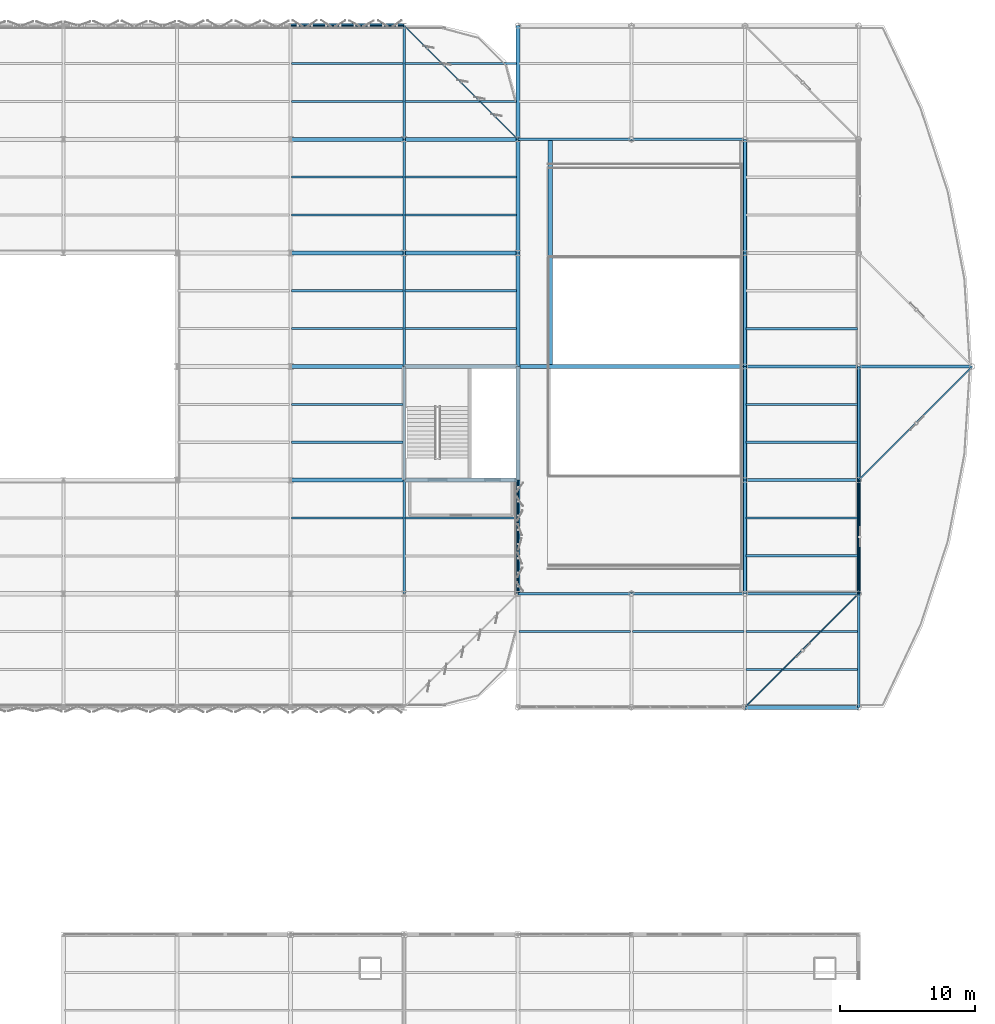
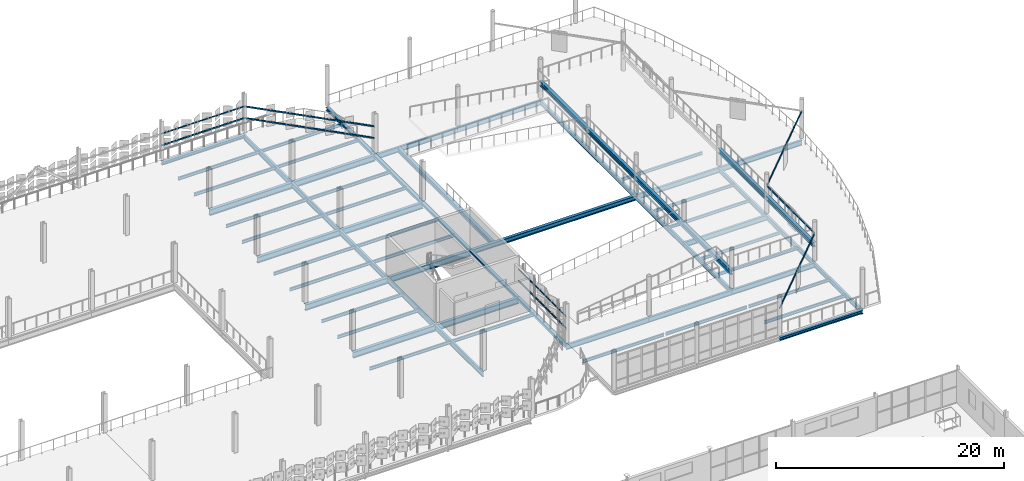
# One storey, part 110 of 163: 77 beams.
"""IFC4 building model written with IfcOpenShell, lengths in metres."""

from ifc_helpers import new_model, si_unit, direction, frame, origin, origin_2d, place, context, subcontext, project, spatial, hollow_rectangle, i_section, extrude, material, material_profile, profile_set, type_object, element, save


model = new_model("IFC4")

# Units and contexts
model_context = context("Model", 3, precision=1e-05, world=origin(), true_north=direction((0.0, 1.0)))
body_context = subcontext(model_context, "Body", "Model", "MODEL_VIEW")
ifc_project = project(units=[si_unit("LENGTHUNIT", "METRE"), si_unit("AREAUNIT", "SQUARE_METRE"), si_unit("VOLUMEUNIT", "CUBIC_METRE"), si_unit("PLANEANGLEUNIT", "RADIAN"), si_unit("MASSUNIT", "GRAM", prefix="KILO")], contexts=[model_context])

# Site, building, storey
site_placement = place(None, origin())
site = spatial("IfcSite", under=ifc_project, at=site_placement, CompositionType="ELEMENT")
building_placement = place(site_placement, origin())
building = spatial("IfcBuilding", under=site, at=building_placement, Name="Qalvenar Corner Mobility Hub", CompositionType="ELEMENT")
storey_placement = place(building_placement, frame((0.0, 0.0, 4.800048828125)))
storey = spatial("IfcBuildingStorey", under=building, at=storey_placement, Name="L01", CompositionType="ELEMENT", Elevation=4.800048828125)

# Beams
ifc_material = material(Name="Steel S355", Category="steel")
ifc_material_profile_1 = material_profile(ifc_material, i_section(OverallWidth=0.300048828125, OverallDepth=0.489990234375, WebThickness=0.011962890625, FlangeThickness=0.02294921875, FilletRadius=0.027099609375, at=origin_2d()), Name="HEA500")
ifc_profile_set_1 = profile_set([ifc_material_profile_1], Name="Steel S355")
beam_type_1 = type_object("IfcBeamType", Name="BM-HEA500", PredefinedType="BEAM", material=ifc_profile_set_1)
for number, where, z_axis, x_axis, name in (
    (1, (142.800048828125, 92.39990234375, -0.512939453125), (1.0, 0.0, 0.0), (0.0, 1.0, 0.0), "Ramp Well Central Tie Girder L01"),
    (2, (145.199951171875, 92.39990234375, -0.512939453125), (0.0, 1.0, 0.0), (-1.0, 0.0, 0.0), "Ramp West Header Girder L01-HI"),
):
    element("IfcBeam", number, at=place(storey_placement, frame(where, z_axis=z_axis, x_axis=x_axis)), inside=storey, type_object=beam_type_1, Name=name, PredefinedType="BEAM", context=body_context, shape_type="SweptSolid", body=[
        extrude(i_section(OverallWidth=0.300048828125, OverallDepth=0.489990234375, WebThickness=0.011962890625, FlangeThickness=0.02294921875, FilletRadius=0.027099609375, at=origin_2d()), origin(), (0.0, 0.0, 1.0), 16.800048828125),
    ])
for number, where, z_axis, x_axis, name in (
    (3, (159.60009765625, 75.60009765625, 1.596923828125), (0.0, 1.0, 0.0), (-1.0, 0.0, 0.0), "Ramp Mid-Landing Girder L01-159-75"),
    (4, (159.60009765625, 84.0, 1.596923828125), (0.0, 1.0, 0.0), (-1.0, 0.0, 0.0), "Ramp Mid-Landing Girder L01-159-84"),
):
    element("IfcBeam", number, at=place(storey_placement, frame(where, z_axis=z_axis, x_axis=x_axis)), inside=storey, type_object=beam_type_1, Name=name, PredefinedType="BEAM", context=body_context, shape_type="SweptSolid", body=[
        extrude(i_section(OverallWidth=0.300048828125, OverallDepth=0.489990234375, WebThickness=0.011962890625, FlangeThickness=0.02294921875, FilletRadius=0.027099609375, at=origin_2d()), origin(), (0.0, 0.0, 1.0), 8.39990234375),
    ])
beam_1_placement = place(storey_placement, frame((159.60009765625, 92.39990234375, 1.596923828125), z_axis=(0.0, 1.0, 0.0), x_axis=(-1.0, 0.0, 0.0)))
element("IfcBeam", 5, at=beam_1_placement, inside=storey, type_object=beam_type_1, Name="Ramp Mid-Landing Girder L01-159-92", PredefinedType="BEAM", context=body_context, shape_type="SweptSolid", body=[
    extrude(i_section(OverallWidth=0.300048828125, OverallDepth=0.489990234375, WebThickness=0.011962890625, FlangeThickness=0.02294921875, FilletRadius=0.027099609375, at=origin_2d()), origin(), (0.0, 0.0, 1.0), 8.400146484375),
])
for number, where, z_axis, x_axis, name in (
    (6, (159.60009765625, 100.800048828125, 1.596923828125), (0.0, 1.0, 0.0), (-1.0, 0.0, 0.0), "Ramp Mid-Landing Girder L01-159-100"),
    (7, (168.0, 75.60009765625, 1.635009765625), (0.0, 1.0, 0.0), (-1.0, 0.0, 0.0), "Ramp Mid-Landing Girder L01-168-75"),
    (8, (168.0, 84.0, 1.635009765625), (0.0, 1.0, 0.0), (-1.0, 0.0, 0.0), "Ramp Mid-Landing Girder L01-168-84"),
):
    element("IfcBeam", number, at=place(storey_placement, frame(where, z_axis=z_axis, x_axis=x_axis)), inside=storey, type_object=beam_type_1, Name=name, PredefinedType="BEAM", context=body_context, shape_type="SweptSolid", body=[
        extrude(i_section(OverallWidth=0.300048828125, OverallDepth=0.489990234375, WebThickness=0.011962890625, FlangeThickness=0.02294921875, FilletRadius=0.027099609375, at=origin_2d()), origin(), (0.0, 0.0, 1.0), 8.39990234375),
    ])
ifc_material_profile_2 = material_profile(ifc_material, i_section(OverallWidth=0.300048828125, OverallDepth=0.639892578125, WebThickness=0.013427734375, FlangeThickness=0.02587890625, FilletRadius=0.027099609375, at=origin_2d()), Name="HEA650")
ifc_profile_set_2 = profile_set([ifc_material_profile_2], Name="Steel S355")
beam_type_2 = type_object("IfcBeamType", Name="BM-HEA650", PredefinedType="BEAM", material=ifc_profile_set_2)
beam_2_placement = place(storey_placement, frame((126.0, 84.0, -0.56005859375), z_axis=(1.0, 0.0, 0.0), x_axis=(0.0, 1.0, 0.0)))
element("IfcBeam", 9, at=beam_2_placement, inside=storey, type_object=beam_type_2, Name="Primary Steel Girder GX-1282", PredefinedType="BEAM", context=body_context, shape_type="SweptSolid", body=[
    extrude(i_section(OverallWidth=0.300048828125, OverallDepth=0.639892578125, WebThickness=0.013427734375, FlangeThickness=0.02587890625, FilletRadius=0.027099609375, at=origin_2d()), origin(), (0.0, 0.0, 1.0), 8.39990234375),
])
beam_3_placement = place(storey_placement, frame((134.39990234375, 84.0, -0.56005859375), z_axis=(1.0, 0.0, 0.0), x_axis=(0.0, 1.0, 0.0)))
element("IfcBeam", 10, at=beam_3_placement, inside=storey, type_object=beam_type_2, Name="Primary Steel Girder GX-1283", PredefinedType="BEAM", context=body_context, shape_type="SweptSolid", body=[
    extrude(i_section(OverallWidth=0.300048828125, OverallDepth=0.639892578125, WebThickness=0.013427734375, FlangeThickness=0.02587890625, FilletRadius=0.027099609375, at=origin_2d()), origin(), (0.0, 0.0, 1.0), 8.400146484375),
])
beam_4_placement = place(storey_placement, frame((126.0, 92.39990234375, -0.56005859375), z_axis=(1.0, 0.0, 0.0), x_axis=(0.0, 1.0, 0.0)))
element("IfcBeam", 11, at=beam_4_placement, inside=storey, type_object=beam_type_2, Name="Primary Steel Girder GX-1288", PredefinedType="BEAM", context=body_context, shape_type="SweptSolid", body=[
    extrude(i_section(OverallWidth=0.300048828125, OverallDepth=0.639892578125, WebThickness=0.013427734375, FlangeThickness=0.02587890625, FilletRadius=0.027099609375, at=origin_2d()), origin(), (0.0, 0.0, 1.0), 8.39990234375),
])
beam_5_placement = place(storey_placement, frame((134.39990234375, 92.39990234375, -0.56005859375), z_axis=(1.0, 0.0, 0.0), x_axis=(0.0, 1.0, 0.0)))
element("IfcBeam", 12, at=beam_5_placement, inside=storey, type_object=beam_type_2, Name="Primary Steel Girder GX-1289", PredefinedType="BEAM", context=body_context, shape_type="SweptSolid", body=[
    extrude(i_section(OverallWidth=0.300048828125, OverallDepth=0.639892578125, WebThickness=0.013427734375, FlangeThickness=0.02587890625, FilletRadius=0.027099609375, at=origin_2d()), origin(), (0.0, 0.0, 1.0), 8.400146484375),
])
beam_6_placement = place(storey_placement, frame((126.0, 100.800048828125, -0.56005859375), z_axis=(1.0, 0.0, 0.0), x_axis=(0.0, 1.0, 0.0)))
element("IfcBeam", 13, at=beam_6_placement, inside=storey, type_object=beam_type_2, Name="Primary Steel Girder GX-1298", PredefinedType="BEAM", context=body_context, shape_type="SweptSolid", body=[
    extrude(i_section(OverallWidth=0.300048828125, OverallDepth=0.639892578125, WebThickness=0.013427734375, FlangeThickness=0.02587890625, FilletRadius=0.027099609375, at=origin_2d()), origin(), (0.0, 0.0, 1.0), 8.39990234375),
])
beam_7_placement = place(storey_placement, frame((134.39990234375, 100.800048828125, -0.56005859375), z_axis=(1.0, 0.0, 0.0), x_axis=(0.0, 1.0, 0.0)))
element("IfcBeam", 14, at=beam_7_placement, inside=storey, type_object=beam_type_2, Name="Primary Steel Girder GX-1299", PredefinedType="BEAM", context=body_context, shape_type="SweptSolid", body=[
    extrude(i_section(OverallWidth=0.300048828125, OverallDepth=0.639892578125, WebThickness=0.013427734375, FlangeThickness=0.02587890625, FilletRadius=0.027099609375, at=origin_2d()), origin(), (0.0, 0.0, 1.0), 8.400146484375),
])
beam_8_placement = place(storey_placement, frame((126.0, 109.199951171875, -0.56005859375), z_axis=(1.0, 0.0, 0.0), x_axis=(0.0, 1.0, 0.0)))
element("IfcBeam", 15, at=beam_8_placement, inside=storey, type_object=beam_type_2, Name="Primary Steel Girder GX-1308", PredefinedType="BEAM", context=body_context, shape_type="SweptSolid", body=[
    extrude(i_section(OverallWidth=0.300048828125, OverallDepth=0.639892578125, WebThickness=0.013427734375, FlangeThickness=0.02587890625, FilletRadius=0.027099609375, at=origin_2d()), origin(), (0.0, 0.0, 1.0), 8.39990234375),
])
beam_9_placement = place(storey_placement, frame((134.39990234375, 109.199951171875, -0.56005859375), z_axis=(1.0, 0.0, 0.0), x_axis=(0.0, 1.0, 0.0)))
element("IfcBeam", 16, at=beam_9_placement, inside=storey, type_object=beam_type_2, Name="Primary Steel Girder GX-1309", PredefinedType="BEAM", context=body_context, shape_type="SweptSolid", body=[
    extrude(i_section(OverallWidth=0.300048828125, OverallDepth=0.639892578125, WebThickness=0.013427734375, FlangeThickness=0.02587890625, FilletRadius=0.027099609375, at=origin_2d()), origin(), (0.0, 0.0, 1.0), 8.400146484375),
])
ifc_material_profile_3 = material_profile(ifc_material, i_section(OverallWidth=0.199951171875, OverallDepth=0.5, WebThickness=0.01025390625, FlangeThickness=0.01611328125, FilletRadius=0.02099609375, at=origin_2d()), Name="IPE500")
ifc_profile_set_3 = profile_set([ifc_material_profile_3], Name="Steel S355")
beam_type_3 = type_object("IfcBeamType", Name="BM-IPE500", PredefinedType="BEAM", material=ifc_profile_set_3)
for number, where, z_axis, x_axis, name in (
    (17, (159.60009765625, 75.60009765625, -0.489990234375), (0.0, 1.0, 0.0), (-1.0, 0.0, 0.0), "Primary Steel Girder GY-1487"),
    (18, (159.60009765625, 84.0, -0.489990234375), (0.0, 1.0, 0.0), (-1.0, 0.0, 0.0), "Primary Steel Girder GY-1488"),
):
    element("IfcBeam", number, at=place(storey_placement, frame(where, z_axis=z_axis, x_axis=x_axis)), inside=storey, type_object=beam_type_3, Name=name, PredefinedType="BEAM", context=body_context, shape_type="SweptSolid", body=[
        extrude(i_section(OverallWidth=0.199951171875, OverallDepth=0.5, WebThickness=0.01025390625, FlangeThickness=0.01611328125, FilletRadius=0.02099609375, at=origin_2d()), origin(), (0.0, 0.0, 1.0), 8.39990234375),
    ])
beam_10_placement = place(storey_placement, frame((159.60009765625, 92.39990234375, -0.489990234375), z_axis=(0.0, 1.0, 0.0), x_axis=(-1.0, 0.0, 0.0)))
element("IfcBeam", 19, at=beam_10_placement, inside=storey, type_object=beam_type_3, Name="Primary Steel Girder GY-1489", PredefinedType="BEAM", context=body_context, shape_type="SweptSolid", body=[
    extrude(i_section(OverallWidth=0.199951171875, OverallDepth=0.5, WebThickness=0.01025390625, FlangeThickness=0.01611328125, FilletRadius=0.02099609375, at=origin_2d()), origin(), (0.0, 0.0, 1.0), 8.400146484375),
])
beam_11_placement = place(storey_placement, frame((159.60009765625, 100.800048828125, -0.489990234375), z_axis=(0.0, 1.0, 0.0), x_axis=(-1.0, 0.0, 0.0)))
element("IfcBeam", 20, at=beam_11_placement, inside=storey, type_object=beam_type_3, Name="Primary Steel Girder GY-1490", PredefinedType="BEAM", context=body_context, shape_type="SweptSolid", body=[
    extrude(i_section(OverallWidth=0.199951171875, OverallDepth=0.5, WebThickness=0.01025390625, FlangeThickness=0.01611328125, FilletRadius=0.02099609375, at=origin_2d()), origin(), (0.0, 0.0, 1.0), 8.39990234375),
])
beam_12_placement = place(storey_placement, frame((168.0, 67.199951171875, -0.489990234375), z_axis=(0.0, 1.0, 0.0), x_axis=(-1.0, 0.0, 0.0)))
element("IfcBeam", 21, at=beam_12_placement, inside=storey, type_object=beam_type_3, Name="Primary Steel Girder GY-1492", PredefinedType="BEAM", context=body_context, shape_type="SweptSolid", body=[
    extrude(i_section(OverallWidth=0.199951171875, OverallDepth=0.5, WebThickness=0.01025390625, FlangeThickness=0.01611328125, FilletRadius=0.02099609375, at=origin_2d()), origin(), (0.0, 0.0, 1.0), 8.400146484375),
])
for number, where, z_axis, x_axis, name in (
    (22, (168.0, 75.60009765625, -0.489990234375), (0.0, 1.0, 0.0), (-1.0, 0.0, 0.0), "Primary Steel Girder GY-1493"),
    (23, (168.0, 84.0, -0.489990234375), (0.0, 1.0, 0.0), (-1.0, 0.0, 0.0), "Primary Steel Girder GY-1494"),
):
    element("IfcBeam", number, at=place(storey_placement, frame(where, z_axis=z_axis, x_axis=x_axis)), inside=storey, type_object=beam_type_3, Name=name, PredefinedType="BEAM", context=body_context, shape_type="SweptSolid", body=[
        extrude(i_section(OverallWidth=0.199951171875, OverallDepth=0.5, WebThickness=0.01025390625, FlangeThickness=0.01611328125, FilletRadius=0.02099609375, at=origin_2d()), origin(), (0.0, 0.0, 1.0), 8.39990234375),
    ])
ifc_material_profile_4 = material_profile(ifc_material, i_section(OverallWidth=0.2099609375, OverallDepth=0.550048828125, WebThickness=0.010986328125, FlangeThickness=0.01708984375, FilletRadius=0.02392578125, at=origin_2d()), Name="IPE550")
ifc_profile_set_4 = profile_set([ifc_material_profile_4], Name="Steel S355")
beam_type_4 = type_object("IfcBeamType", Name="BM-IPE550", PredefinedType="BEAM", material=ifc_profile_set_4)
for number, where, z_axis, x_axis, name in (
    (24, (134.39990234375, 75.60009765625, -0.51513671875), (0.0, 1.0, 0.0), (-1.0, 0.0, 0.0), "Primary Steel Girder GY-1365"),
    (25, (134.39990234375, 84.0, -0.51513671875), (0.0, 1.0, 0.0), (-1.0, 0.0, 0.0), "Primary Steel Girder GY-1366"),
):
    element("IfcBeam", number, at=place(storey_placement, frame(where, z_axis=z_axis, x_axis=x_axis)), inside=storey, type_object=beam_type_4, Name=name, PredefinedType="BEAM", context=body_context, shape_type="SweptSolid", body=[
        extrude(i_section(OverallWidth=0.2099609375, OverallDepth=0.550048828125, WebThickness=0.010986328125, FlangeThickness=0.01708984375, FilletRadius=0.02392578125, at=origin_2d()), origin(), (0.0, 0.0, 1.0), 8.39990234375),
    ])
beam_13_placement = place(storey_placement, frame((134.39990234375, 92.39990234375, -0.51513671875), z_axis=(0.0, 1.0, 0.0), x_axis=(-1.0, 0.0, 0.0)))
element("IfcBeam", 26, at=beam_13_placement, inside=storey, type_object=beam_type_4, Name="Primary Steel Girder GY-1367", PredefinedType="BEAM", context=body_context, shape_type="SweptSolid", body=[
    extrude(i_section(OverallWidth=0.2099609375, OverallDepth=0.550048828125, WebThickness=0.010986328125, FlangeThickness=0.01708984375, FilletRadius=0.02392578125, at=origin_2d()), origin(), (0.0, 0.0, 1.0), 8.400146484375),
])
beam_14_placement = place(storey_placement, frame((134.39990234375, 100.800048828125, -0.51513671875), z_axis=(0.0, 1.0, 0.0), x_axis=(-1.0, 0.0, 0.0)))
element("IfcBeam", 27, at=beam_14_placement, inside=storey, type_object=beam_type_4, Name="Primary Steel Girder GY-1368", PredefinedType="BEAM", context=body_context, shape_type="SweptSolid", body=[
    extrude(i_section(OverallWidth=0.2099609375, OverallDepth=0.550048828125, WebThickness=0.010986328125, FlangeThickness=0.01708984375, FilletRadius=0.02392578125, at=origin_2d()), origin(), (0.0, 0.0, 1.0), 8.39990234375),
])
beam_15_placement = place(storey_placement, frame((134.39990234375, 109.199951171875, -0.51513671875), z_axis=(0.0, 1.0, 0.0), x_axis=(-1.0, 0.0, 0.0)))
element("IfcBeam", 28, at=beam_15_placement, inside=storey, type_object=beam_type_4, Name="Primary Steel Girder GY-1369", PredefinedType="BEAM", context=body_context, shape_type="SweptSolid", body=[
    extrude(i_section(OverallWidth=0.2099609375, OverallDepth=0.550048828125, WebThickness=0.010986328125, FlangeThickness=0.01708984375, FilletRadius=0.02392578125, at=origin_2d()), origin(), (0.0, 0.0, 1.0), 8.400146484375),
])
beam_16_placement = place(storey_placement, frame((142.800048828125, 75.60009765625, -0.51513671875), z_axis=(1.0, 0.0, 0.0), x_axis=(0.0, 1.0, 0.0)))
element("IfcBeam", 29, at=beam_16_placement, inside=storey, type_object=beam_type_4, Name="Primary Steel Girder GX-1469", PredefinedType="BEAM", context=body_context, shape_type="SweptSolid", body=[
    extrude(i_section(OverallWidth=0.2099609375, OverallDepth=0.550048828125, WebThickness=0.010986328125, FlangeThickness=0.01708984375, FilletRadius=0.02392578125, at=origin_2d()), origin(), (0.0, 0.0, 1.0), 8.39990234375),
])
beam_17_placement = place(storey_placement, frame((151.199951171875, 75.60009765625, -0.51513671875), z_axis=(1.0, 0.0, 0.0), x_axis=(0.0, 1.0, 0.0)))
element("IfcBeam", 30, at=beam_17_placement, inside=storey, type_object=beam_type_4, Name="Primary Steel Girder GX-1470", PredefinedType="BEAM", context=body_context, shape_type="SweptSolid", body=[
    extrude(i_section(OverallWidth=0.2099609375, OverallDepth=0.550048828125, WebThickness=0.010986328125, FlangeThickness=0.01708984375, FilletRadius=0.02392578125, at=origin_2d()), origin(), (0.0, 0.0, 1.0), 8.400146484375),
])
for number, where, z_axis, x_axis, name in (
    (31, (159.60009765625, 75.60009765625, -0.51513671875), (1.0, 0.0, 0.0), (0.0, 1.0, 0.0), "Primary Steel Girder GX-1471"),
    (32, (159.60009765625, 84.0, -0.51513671875), (1.0, 0.0, 0.0), (0.0, 1.0, 0.0), "Primary Steel Girder GX-1472"),
    (33, (159.60009765625, 92.39990234375, -0.51513671875), (1.0, 0.0, 0.0), (0.0, 1.0, 0.0), "Primary Steel Girder GX-1473"),
    (34, (168.0, 92.39990234375, -0.51513671875), (1.0, 0.0, 0.0), (0.0, 1.0, 0.0), "Primary Steel Girder GX-1474"),
    (35, (142.800048828125, 109.199951171875, -0.51513671875), (1.0, 0.0, 0.0), (0.0, 1.0, 0.0), "Primary Steel Girder GX-1476"),
):
    element("IfcBeam", number, at=place(storey_placement, frame(where, z_axis=z_axis, x_axis=x_axis)), inside=storey, type_object=beam_type_4, Name=name, PredefinedType="BEAM", context=body_context, shape_type="SweptSolid", body=[
        extrude(i_section(OverallWidth=0.2099609375, OverallDepth=0.550048828125, WebThickness=0.010986328125, FlangeThickness=0.01708984375, FilletRadius=0.02392578125, at=origin_2d()), origin(), (0.0, 0.0, 1.0), 8.39990234375),
    ])
beam_18_placement = place(storey_placement, frame((151.199951171875, 109.199951171875, -0.51513671875), z_axis=(1.0, 0.0, 0.0), x_axis=(0.0, 1.0, 0.0)))
element("IfcBeam", 36, at=beam_18_placement, inside=storey, type_object=beam_type_4, Name="Primary Steel Girder GX-1477", PredefinedType="BEAM", context=body_context, shape_type="SweptSolid", body=[
    extrude(i_section(OverallWidth=0.2099609375, OverallDepth=0.550048828125, WebThickness=0.010986328125, FlangeThickness=0.01708984375, FilletRadius=0.02392578125, at=origin_2d()), origin(), (0.0, 0.0, 1.0), 8.400146484375),
])
ifc_material_profile_5 = material_profile(ifc_material, i_section(OverallWidth=0.1650390625, OverallDepth=0.31005859375, WebThickness=0.005859375, FlangeThickness=0.009765625, FilletRadius=0.011962890625, at=origin_2d()), Name="W310x38.7")
ifc_profile_set_5 = profile_set([ifc_material_profile_5], Name="Steel S355")
beam_type_5 = type_object("IfcBeamType", Name="BM-JST310", PredefinedType="JOIST", material=ifc_profile_set_5)
for number, where, z_axis, x_axis, name in (
    (37, (134.47802734375, 112.0, -0.39501953125), (1.0, 0.0, 0.0), (0.0, 1.0, 0.0), "Composite Floor Joist J-1500"),
    (38, (134.47802734375, 114.800048828125, -0.39501953125), (1.0, 0.0, 0.0), (0.0, 1.0, 0.0), "Composite Floor Joist J-1501"),
):
    element("IfcBeam", number, at=place(storey_placement, frame(where, z_axis=z_axis, x_axis=x_axis)), inside=storey, type_object=beam_type_5, Name=name, PredefinedType="JOIST", context=body_context, shape_type="SweptSolid", body=[
        extrude(i_section(OverallWidth=0.1650390625, OverallDepth=0.31005859375, WebThickness=0.005859375, FlangeThickness=0.009765625, FilletRadius=0.011962890625, at=origin_2d()), origin(), (0.0, 0.0, 1.0), 8.243896484375),
    ])
beam_19_placement = place(storey_placement, frame((142.8779296875, 72.800048828125, -0.39501953125), z_axis=(1.0, 0.0, 0.0), x_axis=(0.0, 1.0, 0.0)))
element("IfcBeam", 39, at=beam_19_placement, inside=storey, type_object=beam_type_5, Name="Composite Floor Joist J-1503", PredefinedType="JOIST", context=body_context, shape_type="SweptSolid", body=[
    extrude(i_section(OverallWidth=0.1650390625, OverallDepth=0.31005859375, WebThickness=0.005859375, FlangeThickness=0.009765625, FilletRadius=0.011962890625, at=origin_2d()), origin(), (0.0, 0.0, 1.0), 8.244140625),
])
beam_20_placement = place(storey_placement, frame((151.278076171875, 72.800048828125, -0.39501953125), z_axis=(1.0, 0.0, 0.0), x_axis=(0.0, 1.0, 0.0)))
element("IfcBeam", 40, at=beam_20_placement, inside=storey, type_object=beam_type_5, Name="Composite Floor Joist J-1507", PredefinedType="JOIST", context=body_context, shape_type="SweptSolid", body=[
    extrude(i_section(OverallWidth=0.1650390625, OverallDepth=0.31005859375, WebThickness=0.005859375, FlangeThickness=0.009765625, FilletRadius=0.011962890625, at=origin_2d()), origin(), (0.0, 0.0, 1.0), 8.243896484375),
])
for number, where, z_axis, x_axis, name in (
    (41, (159.677978515625, 70.0, -0.39501953125), (1.0, 0.0, 0.0), (0.0, 1.0, 0.0), "Composite Floor Joist J-1510"),
    (42, (159.677978515625, 72.800048828125, -0.39501953125), (1.0, 0.0, 0.0), (0.0, 1.0, 0.0), "Composite Floor Joist J-1511"),
    (43, (159.677978515625, 78.39990234375, -0.39501953125), (1.0, 0.0, 0.0), (0.0, 1.0, 0.0), "Composite Floor Joist J-1512"),
    (44, (159.677978515625, 81.199951171875, -0.39501953125), (1.0, 0.0, 0.0), (0.0, 1.0, 0.0), "Composite Floor Joist J-1513"),
    (45, (159.677978515625, 86.800048828125, -0.39501953125), (1.0, 0.0, 0.0), (0.0, 1.0, 0.0), "Composite Floor Joist J-1514"),
    (46, (159.677978515625, 89.60009765625, -0.39501953125), (1.0, 0.0, 0.0), (0.0, 1.0, 0.0), "Composite Floor Joist J-1515"),
    (47, (159.677978515625, 95.199951171875, -0.39501953125), (1.0, 0.0, 0.0), (0.0, 1.0, 0.0), "Composite Floor Joist J-1516"),
):
    element("IfcBeam", number, at=place(storey_placement, frame(where, z_axis=z_axis, x_axis=x_axis)), inside=storey, type_object=beam_type_5, Name=name, PredefinedType="JOIST", context=body_context, shape_type="SweptSolid", body=[
        extrude(i_section(OverallWidth=0.1650390625, OverallDepth=0.31005859375, WebThickness=0.005859375, FlangeThickness=0.009765625, FilletRadius=0.011962890625, at=origin_2d()), origin(), (0.0, 0.0, 1.0), 8.244140625),
    ])
ifc_material_profile_6 = material_profile(ifc_material, i_section(OverallWidth=0.159912109375, OverallDepth=0.330078125, WebThickness=0.007568359375, FlangeThickness=0.011474609375, FilletRadius=0.01806640625, at=origin_2d()), Name="IPE330")
ifc_profile_set_6 = profile_set([ifc_material_profile_6], Name="Steel S355")
beam_type_6 = type_object("IfcBeamType", Name="BM-JST330", PredefinedType="JOIST", material=ifc_profile_set_6)
for number, where, z_axis, x_axis, name in (
    (48, (126.077880859375, 81.199951171875, -0.405029296875), (1.0, 0.0, 0.0), (0.0, 1.0, 0.0), "Composite Floor Joist J-1451"),
    (49, (126.077880859375, 86.800048828125, -0.405029296875), (1.0, 0.0, 0.0), (0.0, 1.0, 0.0), "Composite Floor Joist J-1452"),
    (50, (126.077880859375, 89.60009765625, -0.405029296875), (1.0, 0.0, 0.0), (0.0, 1.0, 0.0), "Composite Floor Joist J-1453"),
    (51, (126.077880859375, 95.199951171875, -0.405029296875), (1.0, 0.0, 0.0), (0.0, 1.0, 0.0), "Composite Floor Joist J-1454"),
    (52, (126.077880859375, 98.0, -0.405029296875), (1.0, 0.0, 0.0), (0.0, 1.0, 0.0), "Composite Floor Joist J-1455"),
    (53, (126.077880859375, 103.60009765625, -0.405029296875), (1.0, 0.0, 0.0), (0.0, 1.0, 0.0), "Composite Floor Joist J-1456"),
    (54, (126.077880859375, 106.39990234375, -0.405029296875), (1.0, 0.0, 0.0), (0.0, 1.0, 0.0), "Composite Floor Joist J-1457"),
    (55, (126.077880859375, 112.0, -0.405029296875), (1.0, 0.0, 0.0), (0.0, 1.0, 0.0), "Composite Floor Joist J-1458"),
    (56, (126.077880859375, 114.800048828125, -0.405029296875), (1.0, 0.0, 0.0), (0.0, 1.0, 0.0), "Composite Floor Joist J-1459"),
):
    element("IfcBeam", number, at=place(storey_placement, frame(where, z_axis=z_axis, x_axis=x_axis)), inside=storey, type_object=beam_type_6, Name=name, PredefinedType="JOIST", context=body_context, shape_type="SweptSolid", body=[
        extrude(i_section(OverallWidth=0.159912109375, OverallDepth=0.330078125, WebThickness=0.007568359375, FlangeThickness=0.011474609375, FilletRadius=0.01806640625, at=origin_2d()), origin(), (0.0, 0.0, 1.0), 8.244140625),
    ])
for number, where, z_axis, x_axis, name in (
    (57, (134.47802734375, 81.199951171875, -0.405029296875), (1.0, 0.0, 0.0), (0.0, 1.0, 0.0), "Composite Floor Joist J-1461"),
    (58, (134.47802734375, 95.199951171875, -0.405029296875), (1.0, 0.0, 0.0), (0.0, 1.0, 0.0), "Composite Floor Joist J-1462"),
    (59, (134.47802734375, 98.0, -0.405029296875), (1.0, 0.0, 0.0), (0.0, 1.0, 0.0), "Composite Floor Joist J-1463"),
    (60, (134.47802734375, 103.60009765625, -0.405029296875), (1.0, 0.0, 0.0), (0.0, 1.0, 0.0), "Composite Floor Joist J-1464"),
    (61, (134.47802734375, 106.39990234375, -0.405029296875), (1.0, 0.0, 0.0), (0.0, 1.0, 0.0), "Composite Floor Joist J-1465"),
):
    element("IfcBeam", number, at=place(storey_placement, frame(where, z_axis=z_axis, x_axis=x_axis)), inside=storey, type_object=beam_type_6, Name=name, PredefinedType="JOIST", context=body_context, shape_type="SweptSolid", body=[
        extrude(i_section(OverallWidth=0.159912109375, OverallDepth=0.330078125, WebThickness=0.007568359375, FlangeThickness=0.011474609375, FilletRadius=0.01806640625, at=origin_2d()), origin(), (0.0, 0.0, 1.0), 8.243896484375),
    ])
ifc_material_profile_7 = material_profile(ifc_material, i_section(OverallWidth=0.300048828125, OverallDepth=0.31005859375, WebThickness=0.009033203125, FlangeThickness=0.015380859375, FilletRadius=0.027099609375, at=origin_2d()), Name="HEA320")
ifc_profile_set_7 = profile_set([ifc_material_profile_7], Name="Steel S355")
beam_type_7 = type_object("IfcBeamType", Name="BM-SPN320", PredefinedType="SPANDREL", material=ifc_profile_set_7)
for number, where, z_axis, x_axis, name in (
    (62, (142.800048828125, 75.60009765625, -0.39501953125), (0.0, 1.0, 0.0), (-1.0, 0.0, 0.0), "Primary Steel Girder GY-1370"),
    (63, (142.800048828125, 84.0, -0.39501953125), (0.0, 1.0, 0.0), (-1.0, 0.0, 0.0), "Primary Steel Girder GY-1371"),
):
    element("IfcBeam", number, at=place(storey_placement, frame(where, z_axis=z_axis, x_axis=x_axis)), inside=storey, type_object=beam_type_7, Name=name, PredefinedType="SPANDREL", context=body_context, shape_type="SweptSolid", body=[
        extrude(i_section(OverallWidth=0.300048828125, OverallDepth=0.31005859375, WebThickness=0.009033203125, FlangeThickness=0.015380859375, FilletRadius=0.027099609375, at=origin_2d()), origin(), (0.0, 0.0, 1.0), 8.39990234375),
    ])
beam_21_placement = place(storey_placement, frame((142.800048828125, 92.39990234375, -0.39501953125), z_axis=(0.0, 1.0, 0.0), x_axis=(-1.0, 0.0, 0.0)))
element("IfcBeam", 64, at=beam_21_placement, inside=storey, type_object=beam_type_7, Name="Primary Steel Girder GY-1372", PredefinedType="SPANDREL", context=body_context, shape_type="SweptSolid", body=[
    extrude(i_section(OverallWidth=0.300048828125, OverallDepth=0.31005859375, WebThickness=0.009033203125, FlangeThickness=0.015380859375, FilletRadius=0.027099609375, at=origin_2d()), origin(), (0.0, 0.0, 1.0), 8.400146484375),
])
beam_22_placement = place(storey_placement, frame((142.800048828125, 100.800048828125, -0.39501953125), z_axis=(0.0, 1.0, 0.0), x_axis=(-1.0, 0.0, 0.0)))
element("IfcBeam", 65, at=beam_22_placement, inside=storey, type_object=beam_type_7, Name="Primary Steel Girder GY-1373", PredefinedType="SPANDREL", context=body_context, shape_type="SweptSolid", body=[
    extrude(i_section(OverallWidth=0.300048828125, OverallDepth=0.31005859375, WebThickness=0.009033203125, FlangeThickness=0.015380859375, FilletRadius=0.027099609375, at=origin_2d()), origin(), (0.0, 0.0, 1.0), 8.39990234375),
])
beam_23_placement = place(storey_placement, frame((142.800048828125, 109.199951171875, -0.39501953125), z_axis=(0.0, 1.0, 0.0), x_axis=(-1.0, 0.0, 0.0)))
element("IfcBeam", 66, at=beam_23_placement, inside=storey, type_object=beam_type_7, Name="Primary Steel Girder GY-1483", PredefinedType="SPANDREL", context=body_context, shape_type="SweptSolid", body=[
    extrude(i_section(OverallWidth=0.300048828125, OverallDepth=0.31005859375, WebThickness=0.009033203125, FlangeThickness=0.015380859375, FilletRadius=0.027099609375, at=origin_2d()), origin(), (0.0, 0.0, 1.0), 8.400146484375),
])
ifc_material_profile_8 = material_profile(ifc_material, i_section(OverallWidth=0.300048828125, OverallDepth=0.330078125, WebThickness=0.009521484375, FlangeThickness=0.0166015625, FilletRadius=0.027099609375, at=origin_2d()), Name="HEA340")
ifc_profile_set_8 = profile_set([ifc_material_profile_8], Name="Steel S355")
beam_type_8 = type_object("IfcBeamType", Name="BM-SPN340", PredefinedType="SPANDREL", material=ifc_profile_set_8)
for number, where, z_axis, x_axis, name in (
    (67, (126.0, 117.60009765625, -0.405029296875), (1.0, 0.0, 0.0), (0.0, 1.0, 0.0), "Primary Steel Girder GX-1317"),
    (68, (159.60009765625, 67.199951171875, -0.405029296875), (1.0, 0.0, 0.0), (0.0, 1.0, 0.0), "Primary Steel Girder GX-1468"),
):
    element("IfcBeam", number, at=place(storey_placement, frame(where, z_axis=z_axis, x_axis=x_axis)), inside=storey, type_object=beam_type_8, Name=name, PredefinedType="SPANDREL", context=body_context, shape_type="SweptSolid", body=[
        extrude(i_section(OverallWidth=0.300048828125, OverallDepth=0.330078125, WebThickness=0.009521484375, FlangeThickness=0.0166015625, FilletRadius=0.027099609375, at=origin_2d()), origin(), (0.0, 0.0, 1.0), 8.39990234375),
    ])
ifc_material_profile_9 = material_profile(ifc_material, hollow_rectangle(XDim=0.080078125, YDim=0.1201171875, WallThickness=0.0048828125, InnerFilletRadius=0.0048828125, OuterFilletRadius=0.010009765625, at=origin_2d()), Name="RHS120x80x5")
ifc_profile_set_9 = profile_set([ifc_material_profile_9], Name="Steel S355")
beam_type_9 = type_object("IfcBeamType", Name="FR-RAIL120", PredefinedType="SPANDREL", material=ifc_profile_set_9)
for number, where, z_axis, x_axis, name in (
    (69, (134.39990234375, 117.60009765625, 2.75), (-1.0, 0.0, 0.0), (0.0, -1.0, 0.0), "Facade Hinge Support Rail FR-L01-0018"),
    (70, (142.800048828125, 75.60009765625, 2.75), (0.0, 1.0, 0.0), (-1.0, 0.0, 0.0), "Facade Hinge Support Rail FR-L01-0040"),
):
    element("IfcBeam", number, at=place(storey_placement, frame(where, z_axis=z_axis, x_axis=x_axis)), inside=storey, type_object=beam_type_9, Name=name, PredefinedType="SPANDREL", context=body_context, shape_type="SweptSolid", body=[
        extrude(hollow_rectangle(XDim=0.080078125, YDim=0.1201171875, WallThickness=0.0048828125, InnerFilletRadius=0.0048828125, OuterFilletRadius=0.010009765625, at=origin_2d()), origin(), (0.0, 0.0, 1.0), 8.39990234375),
    ])
ifc_material_profile_10 = material_profile(ifc_material, hollow_rectangle(XDim=0.10009765625, YDim=0.14990234375, WallThickness=0.00634765625, InnerFilletRadius=0.00634765625, OuterFilletRadius=0.0126953125, at=origin_2d()), Name="RHS150x100x6.3")
ifc_profile_set_10 = profile_set([ifc_material_profile_10], Name="Steel S355")
beam_type_10 = type_object("IfcBeamType", Name="FR-RAIL150", PredefinedType="SPANDREL", material=ifc_profile_set_10)
for number, where, z_axis, x_axis, name in (
    (71, (134.39990234375, 117.60009765625, 1.5), (-1.0, 0.0, 0.0), (0.0, -1.0, 0.0), "Facade Hinge Support Rail FR-L01-0017"),
    (72, (142.800048828125, 75.60009765625, 1.5), (0.0, 1.0, 0.0), (-1.0, 0.0, 0.0), "Facade Hinge Support Rail FR-L01-0039"),
):
    element("IfcBeam", number, at=place(storey_placement, frame(where, z_axis=z_axis, x_axis=x_axis)), inside=storey, type_object=beam_type_10, Name=name, PredefinedType="SPANDREL", context=body_context, shape_type="SweptSolid", body=[
        extrude(hollow_rectangle(XDim=0.10009765625, YDim=0.14990234375, WallThickness=0.00634765625, InnerFilletRadius=0.00634765625, OuterFilletRadius=0.0126953125, at=origin_2d()), origin(), (0.0, 0.0, 1.0), 8.39990234375),
    ])
for number, where, z_axis, x_axis, name in (
    (73, (142.800048828125, 109.199951171875, 1.5), (-0.707106781187, 0.707106781187, 0.0), (-0.707106781187, -0.707106781187, 0.0), "Corner Facade Rail FRC-L01-0045"),
    (74, (142.800048828125, 109.199951171875, 2.75), (-0.707106781187, 0.707106781187, 0.0), (-0.707106781187, -0.707106781187, 0.0), "Corner Facade Rail FRC-L01-0046"),
):
    element("IfcBeam", number, at=place(storey_placement, frame(where, z_axis=z_axis, x_axis=x_axis)), inside=storey, type_object=beam_type_10, Name=name, PredefinedType="SPANDREL", context=body_context, shape_type="SweptSolid", body=[
        extrude(hollow_rectangle(XDim=0.10009765625, YDim=0.14990234375, WallThickness=0.00634765625, InnerFilletRadius=0.00634765625, OuterFilletRadius=0.0126953125, at=origin_2d()), origin(), (0.0, 0.0, 1.0), 11.879638671875),
    ])
beam_24_placement = place(storey_placement, frame((159.60009765625, 67.199951171875, 2.849853515625), z_axis=(0.707096505339, 0.707117056885, 0.0), x_axis=(-0.707117056885, 0.707096505339, 0.0)))
element("IfcBeam", 75, at=beam_24_placement, inside=storey, type_object=beam_type_10, Name="Rotunda Screen Rail V2-L01-1", PredefinedType="SPANDREL", context=body_context, shape_type="SweptSolid", body=[
    extrude(hollow_rectangle(XDim=0.10009765625, YDim=0.14990234375, WallThickness=0.00634765625, InnerFilletRadius=0.00634765625, OuterFilletRadius=0.0126953125, at=origin_2d()), origin(), (0.0, 0.0, 1.0), 11.87939453125),
])
beam_25_placement = place(storey_placement, frame((168.0, 75.60009765625, 2.849853515625), z_axis=(0.0, 1.0, 0.0), x_axis=(-1.0, 0.0, 0.0)))
element("IfcBeam", 76, at=beam_25_placement, inside=storey, type_object=beam_type_10, Name="Rotunda Screen Rail V2-L01-2", PredefinedType="SPANDREL", context=body_context, shape_type="SweptSolid", body=[
    extrude(hollow_rectangle(XDim=0.10009765625, YDim=0.14990234375, WallThickness=0.00634765625, InnerFilletRadius=0.00634765625, OuterFilletRadius=0.0126953125, at=origin_2d()), origin(), (0.0, 0.0, 1.0), 8.39990234375),
])
beam_26_placement = place(storey_placement, frame((168.0, 84.0, 2.849853515625), z_axis=(0.707106781187, 0.707106781187, 0.0), x_axis=(-0.707106781187, 0.707106781187, 0.0)))
element("IfcBeam", 77, at=beam_26_placement, inside=storey, type_object=beam_type_10, Name="Rotunda Screen Rail V2-L01-3", PredefinedType="SPANDREL", context=body_context, shape_type="SweptSolid", body=[
    extrude(hollow_rectangle(XDim=0.10009765625, YDim=0.14990234375, WallThickness=0.00634765625, InnerFilletRadius=0.00634765625, OuterFilletRadius=0.0126953125, at=origin_2d()), origin(), (0.0, 0.0, 1.0), 11.879150390625),
])

save(model, "model.ifc")
